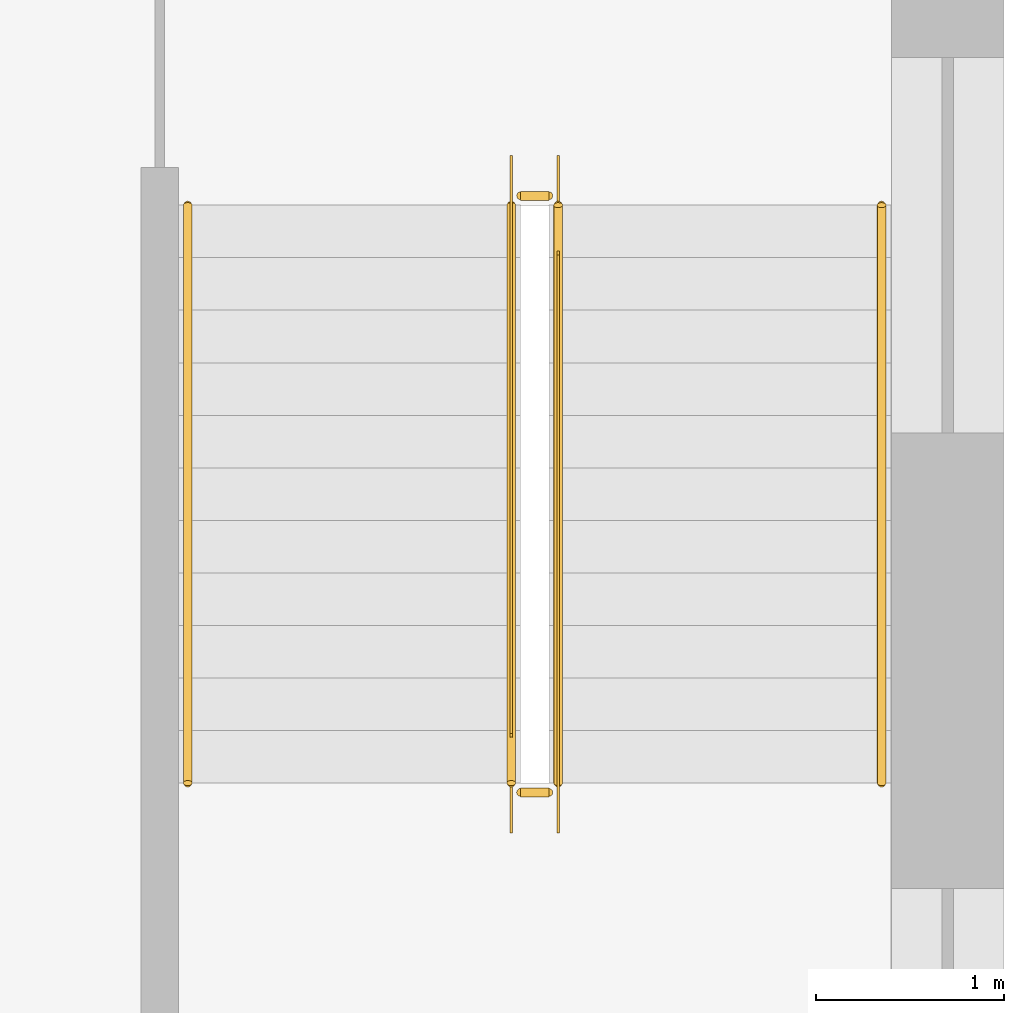
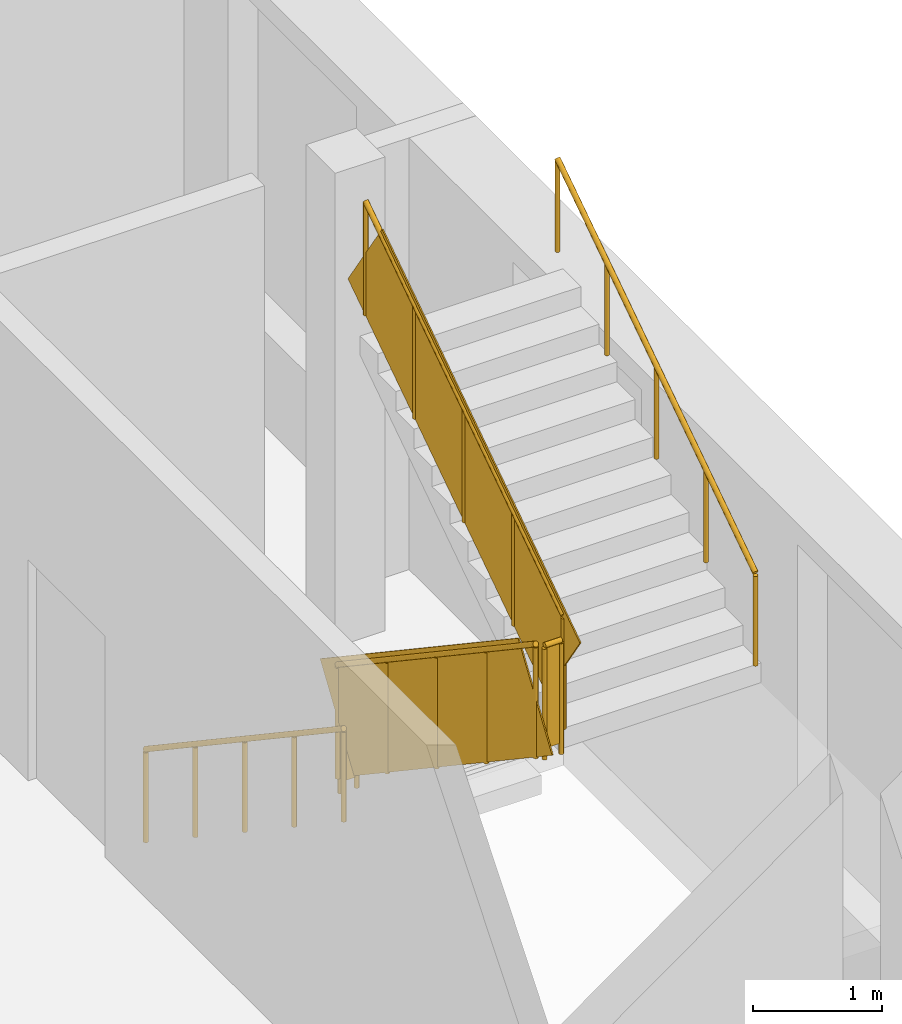
# One storey, part 16 of 18: 6 railings.
"""IFC4 building model written with IfcOpenShell, lengths in metres."""

from ifc_helpers import new_model, si_unit, direction, frame, origin, origin_2d, place, context, subcontext, project, spatial, rectangle, circle, extrude, material, type_object, element, save


model = new_model("IFC4")

# Units and contexts
model_context = context("Model", 3, precision=1e-05, world=origin(), true_north=direction((0.0, 1.0)))
body_context = subcontext(model_context, "Body", "Model", "MODEL_VIEW")
ifc_project = project(units=[si_unit("LENGTHUNIT", "METRE"), si_unit("AREAUNIT", "SQUARE_METRE"), si_unit("VOLUMEUNIT", "CUBIC_METRE"), si_unit("PLANEANGLEUNIT", "RADIAN"), si_unit("MASSUNIT", "GRAM", prefix="KILO")], contexts=[model_context])

# Site, building, storey
site_placement = place(None, origin())
site = spatial("IfcSite", under=ifc_project, at=site_placement, CompositionType="ELEMENT")
building_placement = place(site_placement, origin())
building = spatial("IfcBuilding", under=site, at=building_placement, Name="Dilmun Exchange Tower", CompositionType="ELEMENT")
storey_placement = place(building_placement, frame((0.0, 0.0, 13.5)))
storey = spatial("IfcBuildingStorey", under=building, at=storey_placement, Name="L03", CompositionType="ELEMENT", Elevation=13.5)

# Railings
ifc_material_1 = material(Name="Guard 1100")
railing_type_1 = type_object("IfcRailingType", Name="Guard 1100", PredefinedType="GUARDRAIL", material=ifc_material_1)
railing_1_placement = place(storey_placement, frame((33.3740234375, -2.0, 0.1875)))
element("IfcRailing", 1, at=railing_1_placement, inside=storey, type_object=railing_type_1, Name="L03 PS3 stair guard 1", PredefinedType="GUARDRAIL", context=body_context, shape_type="SweptSolid", body=[
    extrude(circle(Radius=0.02392578125, at=origin_2d()), frame((0.0, 0.0, 1.076171875), z_axis=(0.0, -0.830913701846, 0.55640131208), x_axis=(1.0, 0.0, 0.0)), (0.0, 0.0, 1.0), 3.706787109375),
    extrude(rectangle(XDim=0.011962890625, YDim=0.951904296875, at=origin_2d()), frame((0.0, 0.0, 0.576171875), z_axis=(0.0, -0.830913701846, 0.55640131208), x_axis=(1.0, 0.0, 0.0)), (0.0, 0.0, 1.0), 3.706787109375),
    extrude(circle(Radius=0.02099609375, at=origin_2d()), origin(), (0.0, 0.0, 1.0), 1.052001953125),
    extrude(circle(Radius=0.02099609375, at=origin_2d()), frame((0.0, -0.77001953125, 0.515625)), (0.0, 0.0, 1.0), 1.052001953125),
    extrude(circle(Radius=0.02099609375, at=origin_2d()), frame((0.0, -1.5400390625, 1.03125)), (0.0, 0.0, 1.0), 1.052001953125),
    extrude(circle(Radius=0.02099609375, at=origin_2d()), frame((0.0, -2.31005859375, 1.546875)), (0.0, 0.0, 1.0), 1.052001953125),
    extrude(circle(Radius=0.02099609375, at=origin_2d()), frame((0.0, -3.080078125, 2.0625)), (0.0, 0.0, 1.0), 1.052001953125),
])
railing_2_placement = place(storey_placement, frame((33.424072265625, -5.1298828125, 2.25)))
element("IfcRailing", 2, at=railing_2_placement, inside=storey, type_object=railing_type_1, Name="L03 PS3 stair guard 2", PredefinedType="GUARDRAIL", context=body_context, shape_type="SweptSolid", body=[
    extrude(circle(Radius=0.02392578125, at=origin_2d()), frame((0.0, 0.0, 1.076171875), z_axis=(1.0, 0.0, 0.0), x_axis=(0.0, 1.0, 0.0)), (0.0, 0.0, 1.0), 0.14990234375),
    extrude(rectangle(XDim=0.011962890625, YDim=0.951904296875, at=origin_2d()), frame((0.0, 0.0, 0.576171875), z_axis=(1.0, 0.0, 0.0), x_axis=(0.0, 1.0, 0.0)), (0.0, 0.0, 1.0), 0.14990234375),
    extrude(circle(Radius=0.02099609375, at=origin_2d()), origin(), (0.0, 0.0, 1.0), 1.052001953125),
    extrude(circle(Radius=0.02099609375, at=origin_2d()), frame((0.14990234375, 0.0, 0.0)), (0.0, 0.0, 1.0), 1.052001953125),
])
railing_3_placement = place(storey_placement, frame((33.6240234375, -5.080078125, 2.4375)))
element("IfcRailing", 3, at=railing_3_placement, inside=storey, type_object=railing_type_1, Name="L03 PS3 stair guard 3", PredefinedType="GUARDRAIL", context=body_context, shape_type="SweptSolid", body=[
    extrude(circle(Radius=0.02392578125, at=origin_2d()), frame((0.0, 0.0, 1.076171875), z_axis=(0.0, 0.830913701846, 0.55640131208), x_axis=(-1.0, 0.0, 0.0)), (0.0, 0.0, 1.0), 3.706787109375),
    extrude(rectangle(XDim=0.011962890625, YDim=0.951904296875, at=origin_2d()), frame((0.0, 0.0, 0.576171875), z_axis=(0.0, 0.830913701846, 0.55640131208), x_axis=(-1.0, 0.0, 0.0)), (0.0, 0.0, 1.0), 3.706787109375),
    extrude(circle(Radius=0.02099609375, at=origin_2d()), origin(), (0.0, 0.0, 1.0), 1.052001953125),
    extrude(circle(Radius=0.02099609375, at=origin_2d()), frame((0.0, 0.77001953125, 0.515625)), (0.0, 0.0, 1.0), 1.052001953125),
    extrude(circle(Radius=0.02099609375, at=origin_2d()), frame((0.0, 1.5400390625, 1.03125)), (0.0, 0.0, 1.0), 1.052001953125),
    extrude(circle(Radius=0.02099609375, at=origin_2d()), frame((0.0, 2.31005859375, 1.546875)), (0.0, 0.0, 1.0), 1.052001953125),
    extrude(circle(Radius=0.02099609375, at=origin_2d()), frame((0.0, 3.080078125, 2.0625)), (0.0, 0.0, 1.0), 1.052001953125),
])
railing_4_placement = place(storey_placement, frame((33.424072265625, -1.949951171875, 0.0)))
element("IfcRailing", 4, at=railing_4_placement, inside=storey, type_object=railing_type_1, Name="L03 PS3 stair guard 4", PredefinedType="GUARDRAIL", context=body_context, shape_type="SweptSolid", body=[
    extrude(circle(Radius=0.02392578125, at=origin_2d()), frame((0.0, 0.0, 1.076171875), z_axis=(1.0, 0.0, 0.0), x_axis=(0.0, 1.0, 0.0)), (0.0, 0.0, 1.0), 0.14990234375),
    extrude(rectangle(XDim=0.011962890625, YDim=0.951904296875, at=origin_2d()), frame((0.0, 0.0, 0.576171875), z_axis=(1.0, 0.0, 0.0), x_axis=(0.0, 1.0, 0.0)), (0.0, 0.0, 1.0), 0.14990234375),
    extrude(circle(Radius=0.02099609375, at=origin_2d()), origin(), (0.0, 0.0, 1.0), 1.052001953125),
    extrude(circle(Radius=0.02099609375, at=origin_2d()), frame((0.14990234375, 0.0, 0.0)), (0.0, 0.0, 1.0), 1.052001953125),
])
ifc_material_2 = material(Name="Handrail 900")
railing_type_2 = type_object("IfcRailingType", Name="Handrail 900", PredefinedType="HANDRAIL", material=ifc_material_2)
railing_5_placement = place(storey_placement, frame((31.64990234375, -2.0, 0.1875)))
element("IfcRailing", 5, at=railing_5_placement, inside=storey, type_object=railing_type_2, Name="L03 PS3 stair handrail 1", PredefinedType="HANDRAIL", context=body_context, shape_type="SweptSolid", body=[
    extrude(circle(Radius=0.02392578125, at=origin_2d()), frame((0.0, 0.0, 0.8759765625), z_axis=(0.0, -0.830913701846, 0.55640131208), x_axis=(1.0, 0.0, 0.0)), (0.0, 0.0, 1.0), 3.706787109375),
    extrude(circle(Radius=0.02099609375, at=origin_2d()), origin(), (0.0, 0.0, 1.0), 0.851806640625),
    extrude(circle(Radius=0.02099609375, at=origin_2d()), frame((0.0, -0.77001953125, 0.515625)), (0.0, 0.0, 1.0), 0.851806640625),
    extrude(circle(Radius=0.02099609375, at=origin_2d()), frame((0.0, -1.5400390625, 1.03125)), (0.0, 0.0, 1.0), 0.851806640625),
    extrude(circle(Radius=0.02099609375, at=origin_2d()), frame((0.0, -2.31005859375, 1.546875)), (0.0, 0.0, 1.0), 0.851806640625),
    extrude(circle(Radius=0.02099609375, at=origin_2d()), frame((0.0, -3.080078125, 2.0625)), (0.0, 0.0, 1.0), 0.851806640625),
])
railing_6_placement = place(storey_placement, frame((35.347900390625, -5.080078125, 2.4375)))
element("IfcRailing", 6, at=railing_6_placement, inside=storey, type_object=railing_type_2, Name="L03 PS3 stair handrail 2", PredefinedType="HANDRAIL", context=body_context, shape_type="SweptSolid", body=[
    extrude(circle(Radius=0.02392578125, at=origin_2d()), frame((0.0, 0.0, 0.8759765625), z_axis=(0.0, 0.830913701846, 0.55640131208), x_axis=(-1.0, 0.0, 0.0)), (0.0, 0.0, 1.0), 3.706787109375),
    extrude(circle(Radius=0.02099609375, at=origin_2d()), origin(), (0.0, 0.0, 1.0), 0.851806640625),
    extrude(circle(Radius=0.02099609375, at=origin_2d()), frame((0.0, 0.77001953125, 0.515625)), (0.0, 0.0, 1.0), 0.851806640625),
    extrude(circle(Radius=0.02099609375, at=origin_2d()), frame((0.0, 1.5400390625, 1.03125)), (0.0, 0.0, 1.0), 0.851806640625),
    extrude(circle(Radius=0.02099609375, at=origin_2d()), frame((0.0, 2.31005859375, 1.546875)), (0.0, 0.0, 1.0), 0.851806640625),
    extrude(circle(Radius=0.02099609375, at=origin_2d()), frame((0.0, 3.080078125, 2.0625)), (0.0, 0.0, 1.0), 0.851806640625),
])

save(model, "model.ifc")
